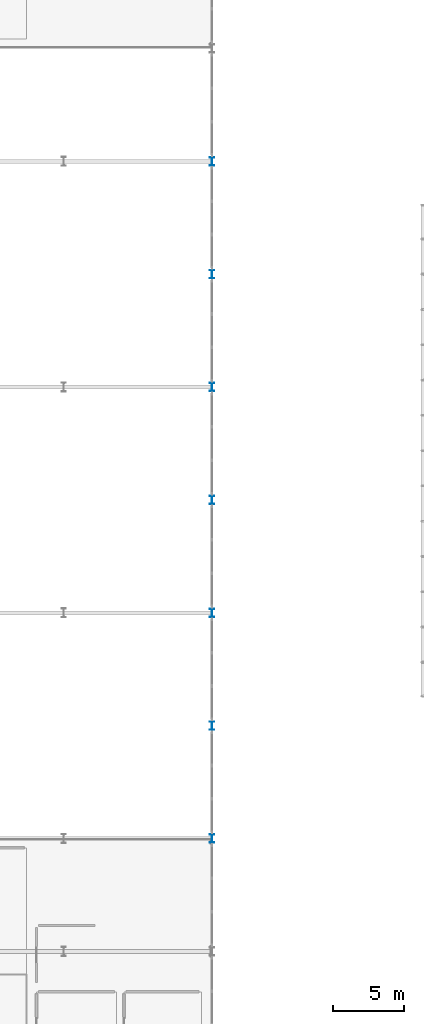
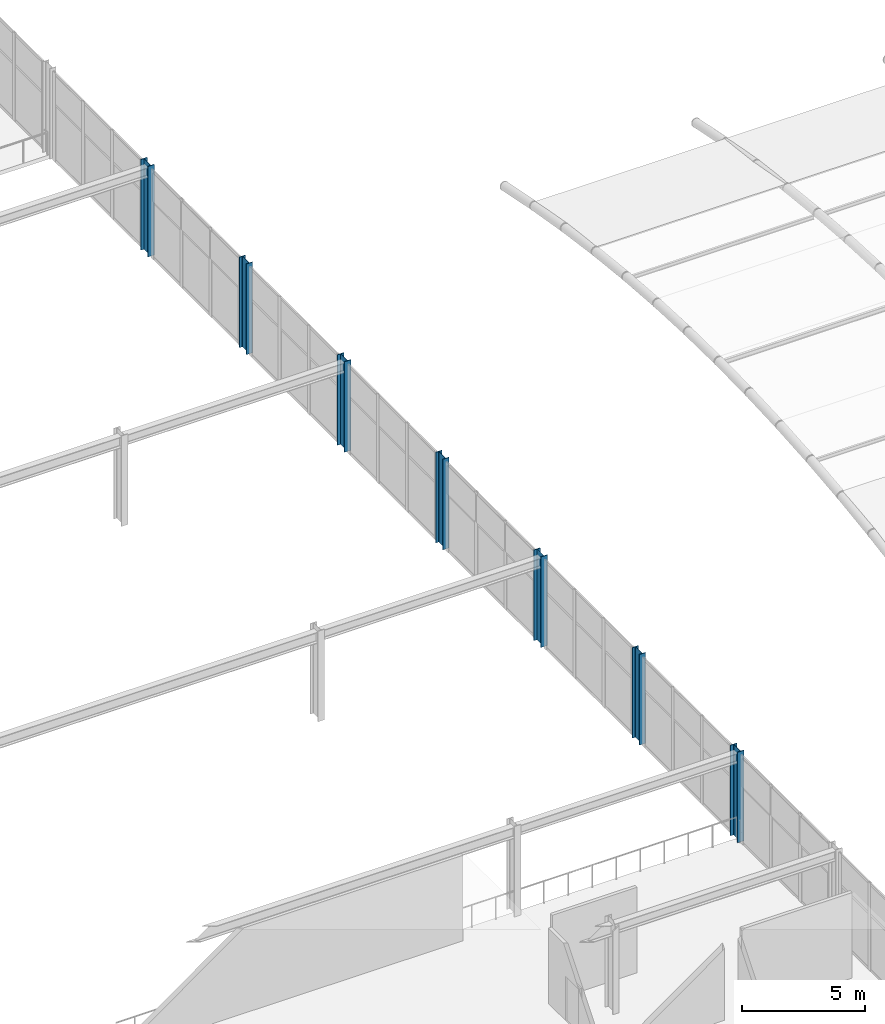
# One storey, part 10 of 105: 7 columns.
"""IFC4 building model written with IfcOpenShell, lengths in metres."""

import ifcopenshell
import ifcopenshell.guid

model = None  # the IFC model being written
_history = None  # IfcOwnerHistory: only IFC2X3 demands one
_inside = {}  # id of a spatial element -> (the spatial element, [elements in it])
_under = {}  # id of a project, library or spatial element -> (it, [spatial elements below it])
_declared = {}  # id of a project -> (the project, [libraries it declares])
_typed = {}  # id of a type object -> (the type object, [elements of that type])
_made_of = {}  # id of a material, layer set ... -> (it, [elements and type objects made of it])


def new_model(schema):
    """Start an empty IFC model of exactly this schema.

    Asked for "IFC4X3", IfcOpenShell would pick the latest addendum, in which some entities
    have other attributes; the version numbers below select the first issue.
    IFC2X3 requires an IfcOwnerHistory on every rooted entity: one is made here for all.
    """
    global model, _history
    if schema == "IFC4X3":
        model = ifcopenshell.file(schema_version=(4, 3, 0, 0))
    else:
        model = ifcopenshell.file(schema=schema)
    _inside.clear()
    _under.clear()
    _declared.clear()
    _typed.clear()
    _made_of.clear()
    _history = None
    if model.schema == "IFC2X3":
        org = make("IfcOrganization", Name="unknown")
        user = make(
            "IfcPersonAndOrganization",
            ThePerson=make("IfcPerson", FamilyName="unknown"),
            TheOrganization=org,
        )
        app = make(
            "IfcApplication",
            ApplicationDeveloper=org,
            Version="unknown",
            ApplicationFullName="unknown",
            ApplicationIdentifier="unknown",
        )
        _history = make(
            "IfcOwnerHistory",
            OwningUser=user,
            OwningApplication=app,
            ChangeAction="ADDED",
            CreationDate=0,
        )
    return model


def make(cls, **values):
    """One entity of the class cls with the attributes given. An attribute that is None is left unset."""
    return model.create_entity(
        cls, **{name: value for name, value in values.items() if value is not None}
    )


def rooted(cls, **values):
    """An entity with a GlobalId (a new one), such as an element, a storey or a relation."""
    return make(cls, GlobalId=ifcopenshell.guid.new(), OwnerHistory=_history, **values)


def si_unit(unit_type, name, prefix=None):
    """IfcSIUnit, for example si_unit("LENGTHUNIT", "METRE", prefix="MILLI")."""
    return make("IfcSIUnit", UnitType=unit_type, Prefix=prefix, Name=name)


def assignment(units):
    """IfcUnitAssignment: the units of a project."""
    return None if units is None else make("IfcUnitAssignment", Units=units)


def point(xyz):
    """IfcCartesianPoint."""
    return None if xyz is None else make("IfcCartesianPoint", Coordinates=xyz)


def direction(xyz):
    """IfcDirection."""
    return None if xyz is None else make("IfcDirection", DirectionRatios=xyz)


def frame(location, z_axis=None, x_axis=None):
    """IfcAxis2Placement3D, a coordinate frame: its origin and axes. An axis left out is left unset."""
    return make(
        "IfcAxis2Placement3D",
        Location=point(location),
        Axis=direction(z_axis),
        RefDirection=direction(x_axis),
    )


def frame_2d(location, x_axis=None):
    """IfcAxis2Placement2D, a coordinate frame in the plane: its origin and x axis."""
    return make(
        "IfcAxis2Placement2D", Location=point(location), RefDirection=direction(x_axis)
    )


def origin():
    """The frame at (0, 0, 0) with its axes left unset."""
    return frame((0.0, 0.0, 0.0))


def origin_2d():
    """The frame at (0, 0) in the plane with its x axis left unset."""
    return frame_2d((0.0, 0.0))


def place(relative_to, where):
    """IfcLocalPlacement: puts the frame where relative to a parent placement (None: the world)."""
    return make(
        "IfcLocalPlacement", PlacementRelTo=relative_to, RelativePlacement=where
    )


def context(
    kind, dimensions, precision=None, world=None, true_north=None, identifier=None
):
    """IfcGeometricRepresentationContext, for example the 3D "Model" context."""
    return make(
        "IfcGeometricRepresentationContext",
        ContextIdentifier=identifier,
        ContextType=kind,
        CoordinateSpaceDimension=dimensions,
        Precision=precision,
        WorldCoordinateSystem=world,
        TrueNorth=true_north,
    )


def subcontext(parent, identifier, kind, view, scale=None):
    """IfcGeometricRepresentationSubContext, for example "Body" below "Model"."""
    return make(
        "IfcGeometricRepresentationSubContext",
        ContextIdentifier=identifier,
        ContextType=kind,
        ParentContext=parent,
        TargetScale=scale,
        TargetView=view,
    )


def project(units=None, contexts=None):
    """IfcProject with its units and contexts."""
    return rooted(
        "IfcProject",
        Name="project",
        RepresentationContexts=contexts,
        UnitsInContext=assignment(units),
    )


def spatial(cls, under=None, at=None, **own):
    """A site, building, storey or space (cls), placed at a placement, below another one or the project."""
    s = rooted(cls, ObjectPlacement=at, **own)
    if under is not None:
        _under.setdefault(under.id(), (under, []))[1].append(s)
    return s


def profile(cls, at=None, kind="AREA", **sizes):
    """A parametric profile (cls). Its sizes go by their IFC names, for example OverallWidth=200.0."""
    return make(cls, ProfileType=kind, Position=at, **sizes)


def i_section(**sizes):
    """IfcIShapeProfileDef."""
    return profile("IfcIShapeProfileDef", **sizes)


def extrude(swept, where, along, depth):
    """IfcExtrudedAreaSolid: the profile swept, set in the frame where, extruded along a direction by depth."""
    return make(
        "IfcExtrudedAreaSolid",
        SweptArea=swept,
        Position=where,
        ExtrudedDirection=direction(along),
        Depth=depth,
    )


def shape(context_of_items, identifier, shape_type, items):
    """IfcShapeRepresentation: the items that make up one representation, for example the "Body"."""
    return make(
        "IfcShapeRepresentation",
        ContextOfItems=context_of_items,
        RepresentationIdentifier=identifier,
        RepresentationType=shape_type,
        Items=items,
    )


def material(Name=None, Category=None):
    """IfcMaterial."""
    return make("IfcMaterial", Name=Name, Category=Category)


def material_profile(
    of_material, cross_section, Name=None, Category=None, Priority=None
):
    """IfcMaterialProfile: a cross section and its material."""
    return make(
        "IfcMaterialProfile",
        Name=Name,
        Material=of_material,
        Profile=cross_section,
        Priority=Priority,
        Category=Category,
    )


def profile_set(profiles, Name=None, composite=None):
    """IfcMaterialProfileSet."""
    return make(
        "IfcMaterialProfileSet",
        Name=Name,
        MaterialProfiles=profiles,
        CompositeProfile=composite,
    )


def made_of(thing, what):
    """Note that an element or type object is made of a material, layer set ...; save() writes the relation."""
    if what is not None:
        _made_of.setdefault(what.id(), (what, []))[1].append(thing)
    return thing


def type_object(cls, material=None, **own):
    """A type object (cls), such as IfcWallType, which elements share."""
    return made_of(rooted(cls, **own), material)


def element(
    cls,
    number,
    at=None,
    inside=None,
    cuts=None,
    type_object=None,
    material=None,
    context=None,
    identifier="Body",
    shape_type=None,
    held_by="IfcProductDefinitionShape",
    body=None,
    shapes=None,
    **own,
):
    """One element of the class cls, such as IfcWall. Its Tag is "e" and its number.

    at: its placement. inside: the storey or other place that contains it. cuts: it is an
    opening in that element (IfcRelVoidsElement). A single representation is given by context,
    identifier, shape_type and body (its items); several are given by shapes. held_by: the class
    of the entity that holds the representations. save() writes the other relations.
    """
    e = rooted(cls, Tag="e%d" % number, ObjectPlacement=at, **own)
    if body is not None:
        shapes = [shape(context, identifier, shape_type, body)]
    if shapes is not None:
        e.Representation = make(held_by, Representations=shapes)
    if inside is not None:
        _inside.setdefault(inside.id(), (inside, []))[1].append(e)
    if cuts is not None:
        rooted(
            "IfcRelVoidsElement", RelatingBuildingElement=cuts, RelatedOpeningElement=e
        )
    if type_object is not None:
        _typed.setdefault(type_object.id(), (type_object, []))[1].append(e)
    return made_of(e, material)


def aggregate(whole, parts):
    """IfcRelAggregates: a whole, such as a stair, and the parts it consists of."""
    return rooted("IfcRelAggregates", RelatingObject=whole, RelatedObjects=parts)


def save(model, path):
    """Write the relations noted so far, then the file.

    IfcRelAggregates (storeys below a building ...), IfcRelContainedInSpatialStructure (elements
    in a storey), IfcRelDefinesByType, IfcRelAssociatesMaterial and IfcRelDeclares: one each for
    every whole, place, type object, material and project.
    """
    for whole, parts in _under.values():
        aggregate(whole, parts)
    for where, things in _inside.values():
        rooted(
            "IfcRelContainedInSpatialStructure",
            RelatedElements=things,
            RelatingStructure=where,
        )
    for kind, things in _typed.values():
        rooted("IfcRelDefinesByType", RelatedObjects=things, RelatingType=kind)
    for what, things in _made_of.values():
        rooted("IfcRelAssociatesMaterial", RelatedObjects=things, RelatingMaterial=what)
    for by, libraries in _declared.values():
        rooted("IfcRelDeclares", RelatingContext=by, RelatedDefinitions=libraries)
    model.write(path)


model = new_model("IFC4")

# Units and contexts
model_context = context("Model", 3, precision=1e-05, world=origin(), true_north=direction((0.0, 1.0)))
body_context = subcontext(model_context, "Body", "Model", "MODEL_VIEW")
ifc_project = project(units=[si_unit("LENGTHUNIT", "METRE"), si_unit("AREAUNIT", "SQUARE_METRE"), si_unit("VOLUMEUNIT", "CUBIC_METRE"), si_unit("PLANEANGLEUNIT", "RADIAN"), si_unit("MASSUNIT", "GRAM", prefix="KILO")], contexts=[model_context])

# Site, building, storey
site_placement = place(None, origin())
site = spatial("IfcSite", under=ifc_project, at=site_placement, CompositionType="ELEMENT")
building_placement = place(site_placement, origin())
building = spatial("IfcBuilding", under=site, at=building_placement, Name="Marlcrest Central Station", CompositionType="ELEMENT")
storey_placement = place(building_placement, frame((0.0, 0.0, 15.0)))
storey = spatial("IfcBuildingStorey", under=building, at=storey_placement, Name="L03", CompositionType="ELEMENT", Elevation=15.0)

# Columns
ifc_material = material(Name="Steel S355", Category="steel")
ifc_material_profile = material_profile(ifc_material, i_section(OverallWidth=0.300048828125, OverallDepth=0.60009765625, WebThickness=0.015380859375, FlangeThickness=0.030029296875, FilletRadius=0.027099609375, at=origin_2d()), Name="HEB 600")
ifc_profile_set = profile_set([ifc_material_profile], Name="Steel S355")
column_type = type_object("IfcColumnType", Name="SC-05", PredefinedType="COLUMN", material=ifc_profile_set)
for number, where, z_axis, x_axis, name in (
    (1, (129.0, 38.5, 0.0), (0.0, 0.0, 1.0), (1.0, 0.0, 0.0), "col-SC-05-L03-0710"),
    (2, (129.0, 46.5, 0.0), (0.0, 0.0, 1.0), (1.0, 0.0, 0.0), "col-SC-05-L03-0714"),
    (3, (129.0, 54.5, 0.0), (0.0, 0.0, 1.0), (1.0, 0.0, 0.0), "col-SC-05-L03-0722"),
    (4, (129.0, 62.5, 0.0), (0.0, 0.0, 1.0), (1.0, 0.0, 0.0), "col-SC-05-L03-0726"),
    (5, (129.0, 70.5, 0.0), (0.0, 0.0, 1.0), (1.0, 0.0, 0.0), "col-SC-05-L03-0734"),
    (6, (129.0, 78.5, 0.0), (0.0, 0.0, 1.0), (1.0, 0.0, 0.0), "col-SC-05-L03-0738"),
    (7, (129.0, 86.5, 0.0), (0.0, 0.0, 1.0), (1.0, 0.0, 0.0), "col-SC-05-L03-0746"),
):
    element("IfcColumn", number, at=place(storey_placement, frame(where, z_axis=z_axis, x_axis=x_axis)), inside=storey, type_object=column_type, Name=name, PredefinedType="COLUMN", context=body_context, shape_type="SweptSolid", body=[
        extrude(i_section(OverallWidth=0.300048828125, OverallDepth=0.60009765625, WebThickness=0.015380859375, FlangeThickness=0.030029296875, FilletRadius=0.027099609375, at=origin_2d()), origin(), (0.0, 0.0, 1.0), 4.5),
    ])

save(model, "model.ifc")
